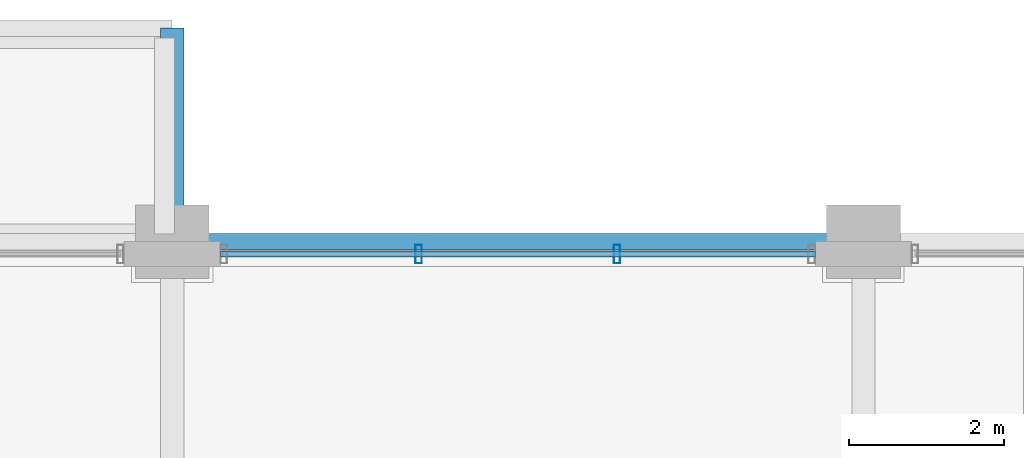
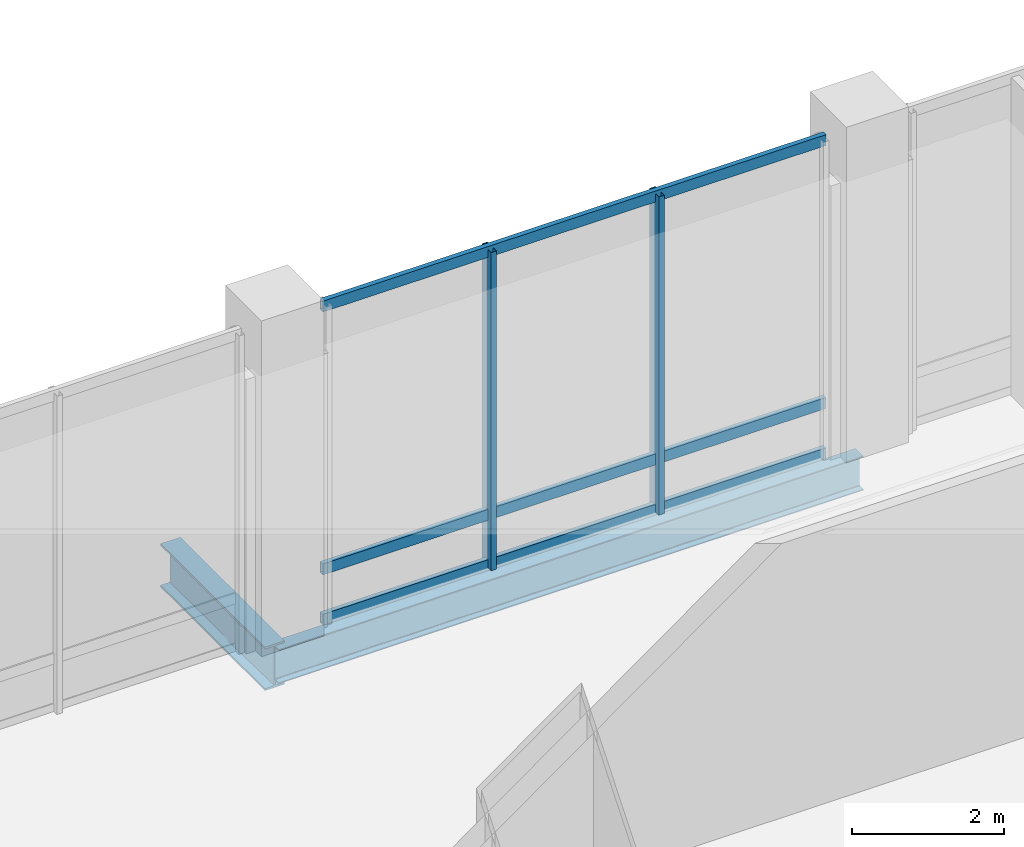
# One storey, part 20 of 43: 5 members, 2 beams, 1 element without a shape of its own.
"""IFC4 building model written with IfcOpenShell, lengths in metres."""

from ifc_helpers import new_model, si_unit, direction, frame, origin, origin_2d, place, context, subcontext, project, spatial, hollow_rectangle, i_section, extrude, material, material_profile, profile_set, type_object, element, aggregate, save


model = new_model("IFC4")

# Units and contexts
model_context = context("Model", 3, precision=1e-05, world=origin(), true_north=direction((0.0, 1.0)))
body_context = subcontext(model_context, "Body", "Model", "MODEL_VIEW")
ifc_project = project(units=[si_unit("LENGTHUNIT", "METRE"), si_unit("AREAUNIT", "SQUARE_METRE"), si_unit("VOLUMEUNIT", "CUBIC_METRE"), si_unit("PLANEANGLEUNIT", "RADIAN"), si_unit("MASSUNIT", "GRAM", prefix="KILO")], contexts=[model_context])

# Site, building, storey
site_placement = place(None, origin())
site = spatial("IfcSite", under=ifc_project, at=site_placement, CompositionType="ELEMENT")
building_placement = place(site_placement, origin())
building = spatial("IfcBuilding", under=site, at=building_placement, Name="Punatoya Terracotta Tower", CompositionType="ELEMENT")
storey_placement = place(building_placement, frame((0.0, 0.0, 6.0)))
storey = spatial("IfcBuildingStorey", under=building, at=storey_placement, Name="L01", CompositionType="ELEMENT", Elevation=6.0)

# Beams
ifc_material_1 = material(Name="Steel S355", Category="steel")
ifc_material_profile_1 = material_profile(ifc_material_1, i_section(OverallWidth=0.300048828125, OverallDepth=0.699951171875, WebThickness=0.01708984375, FlangeThickness=0.031982421875, FilletRadius=0.01806640625, at=origin_2d()))
ifc_profile_set_1 = profile_set([ifc_material_profile_1], Name="Steel S355")
beam_type_1 = type_object("IfcBeamType", Name="BM-PRI-700", PredefinedType="BEAM", material=ifc_profile_set_1)
beam_1_placement = place(storey_placement, frame((19.10009765625, 25.0, -0.60009765625), z_axis=(0.0, 1.0, 0.0), x_axis=(-1.0, 0.0, 0.0)))
element("IfcBeam", 1, at=beam_1_placement, inside=storey, type_object=beam_type_1, Name="BM-L01-CANN-19", PredefinedType="BEAM", context=body_context, shape_type="SweptSolid", body=[
    extrude(i_section(OverallWidth=0.300048828125, OverallDepth=0.699951171875, WebThickness=0.01708984375, FlangeThickness=0.031982421875, FilletRadius=0.01806640625, at=origin_2d()), origin(), (0.0, 0.0, 1.0), 2.75),
])
ifc_material_profile_2 = material_profile(ifc_material_1, i_section(OverallWidth=0.2099609375, OverallDepth=0.550048828125, WebThickness=0.010986328125, FlangeThickness=0.01708984375, FilletRadius=0.01806640625, at=origin_2d()))
ifc_profile_set_2 = profile_set([ifc_material_profile_2], Name="Steel S355")
beam_type_2 = type_object("IfcBeamType", Name="BM-SPN-550", PredefinedType="SPANDREL", material=ifc_profile_set_2)
beam_2_placement = place(storey_placement, frame((19.10009765625, 25.0, -0.554931640625), z_axis=(1.0, 0.0, 0.0), x_axis=(0.0, 1.0, 0.0)))
element("IfcBeam", 2, at=beam_2_placement, inside=storey, type_object=beam_type_2, Name="BM-L01-HE1", PredefinedType="SPANDREL", context=body_context, shape_type="SweptSolid", body=[
    extrude(i_section(OverallWidth=0.2099609375, OverallDepth=0.550048828125, WebThickness=0.010986328125, FlangeThickness=0.01708984375, FilletRadius=0.01806640625, at=origin_2d()), origin(), (0.0, 0.0, 1.0), 8.89990234375),
])

# Curtain wall, members
ifc_material_2 = material(Name="Aluminium 6063-T6 + Double Low-E Glass", Category="aluminium")
curtain_wall_type = type_object("IfcCurtainWallType", Name="CW-POD", PredefinedType="NOTDEFINED", material=ifc_material_2)
curtain_wall_placement = place(storey_placement, origin())
curtain_wall = element("IfcCurtainWall", 3, at=curtain_wall_placement, inside=storey, type_object=curtain_wall_type, Name="L01 Curtain Wall CWP-L01-N6", PredefinedType="NOTDEFINED")
ifc_material_3 = material(Name="Aluminium 6063-T6", Category="aluminium")
ifc_material_profile_3 = material_profile(ifc_material_3, hollow_rectangle(XDim=0.0849609375, YDim=0.239990234375, WallThickness=0.0048828125, at=origin_2d()))
ifc_profile_set_3 = profile_set([ifc_material_profile_3], Name="Aluminium 6063-T6")
member_type_1 = type_object("IfcMemberType", Name="CW-MUL-POD", PredefinedType="MULLION", material=ifc_profile_set_3)
member_1_placement = place(storey_placement, frame((24.82666015625, 24.840087890625, 0.0), z_axis=(0.0, 0.0, 1.0), x_axis=(1.0, 0.0, 0.0)))
member_1 = element("IfcMember", 4, at=member_1_placement, type_object=member_type_1, Name="CWP-L01-N6 Mullion 01", PredefinedType="MULLION", context=body_context, shape_type="SweptSolid", body=[
    extrude(hollow_rectangle(XDim=0.0849609375, YDim=0.239990234375, WallThickness=0.0048828125, at=origin_2d()), origin(), (0.0, 0.0, 1.0), 5.1201171875),
])
member_2_placement = place(storey_placement, frame((22.273193359375, 24.840087890625, 0.0), z_axis=(0.0, 0.0, 1.0), x_axis=(1.0, 0.0, 0.0)))
member_2 = element("IfcMember", 5, at=member_2_placement, type_object=member_type_1, Name="CWP-L01-N6 Mullion 02", PredefinedType="MULLION", context=body_context, shape_type="SweptSolid", body=[
    extrude(hollow_rectangle(XDim=0.0849609375, YDim=0.239990234375, WallThickness=0.0048828125, at=origin_2d()), origin(), (0.0, 0.0, 1.0), 5.1201171875),
])
ifc_material_profile_4 = material_profile(ifc_material_3, hollow_rectangle(XDim=0.074951171875, YDim=0.175048828125, WallThickness=0.00439453125, at=origin_2d()))
ifc_profile_set_4 = profile_set([ifc_material_profile_4], Name="Aluminium 6063-T6")
member_type_2 = type_object("IfcMemberType", Name="CW-TRN-POD", PredefinedType="USERDEFINED", material=ifc_profile_set_4)
member_3_placement = place(storey_placement, frame((27.3798828125, 24.840087890625, 0.0400390625), z_axis=(-1.0, 0.0, 0.0), x_axis=(0.0, -1.0, 0.0)))
member_3 = element("IfcMember", 6, at=member_3_placement, type_object=member_type_2, Name="CWP-L01-N6 Transom 1", ObjectType="TRANSOM", PredefinedType="USERDEFINED", context=body_context, shape_type="SweptSolid", body=[
    extrude(hollow_rectangle(XDim=0.074951171875, YDim=0.175048828125, WallThickness=0.00439453125, at=origin_2d()), origin(), (0.0, 0.0, 1.0), 7.659912109375),
])
member_4_placement = place(storey_placement, frame((27.3798828125, 24.840087890625, 0.85009765625), z_axis=(-1.0, 0.0, 0.0), x_axis=(0.0, -1.0, 0.0)))
member_4 = element("IfcMember", 7, at=member_4_placement, type_object=member_type_2, Name="CWP-L01-N6 Transom 2", ObjectType="TRANSOM", PredefinedType="USERDEFINED", context=body_context, shape_type="SweptSolid", body=[
    extrude(hollow_rectangle(XDim=0.074951171875, YDim=0.175048828125, WallThickness=0.00439453125, at=origin_2d()), origin(), (0.0, 0.0, 1.0), 7.659912109375),
])
member_5_placement = place(storey_placement, frame((27.3798828125, 24.840087890625, 5.080078125), z_axis=(-1.0, 0.0, 0.0), x_axis=(0.0, -1.0, 0.0)))
member_5 = element("IfcMember", 8, at=member_5_placement, type_object=member_type_2, Name="CWP-L01-N6 Transom 3", ObjectType="TRANSOM", PredefinedType="USERDEFINED", context=body_context, shape_type="SweptSolid", body=[
    extrude(hollow_rectangle(XDim=0.074951171875, YDim=0.175048828125, WallThickness=0.00439453125, at=origin_2d()), origin(), (0.0, 0.0, 1.0), 7.659912109375),
])
aggregate(curtain_wall, [member_1, member_2, member_3, member_4, member_5])

save(model, "model.ifc")
